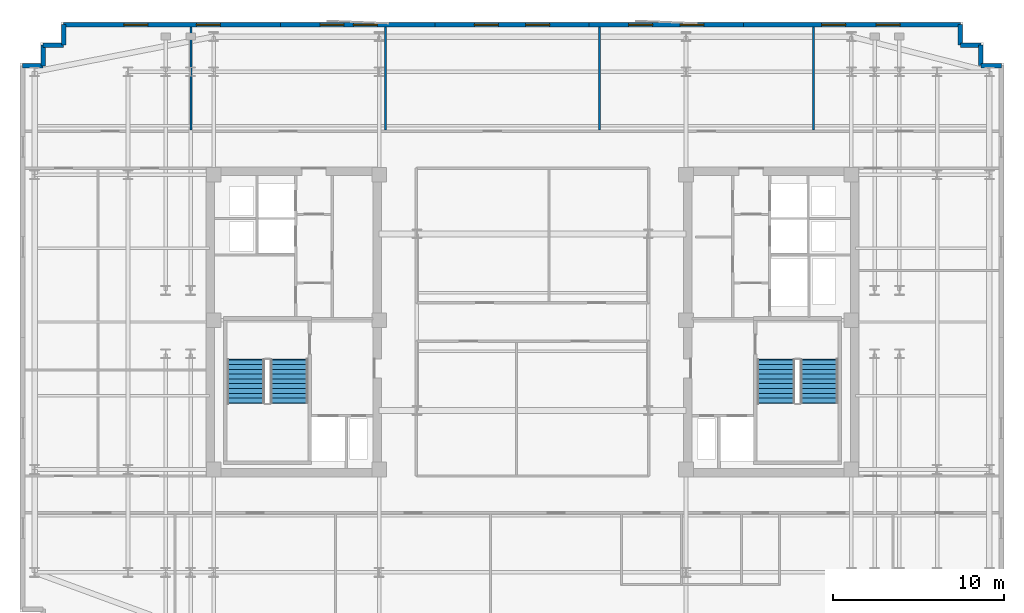
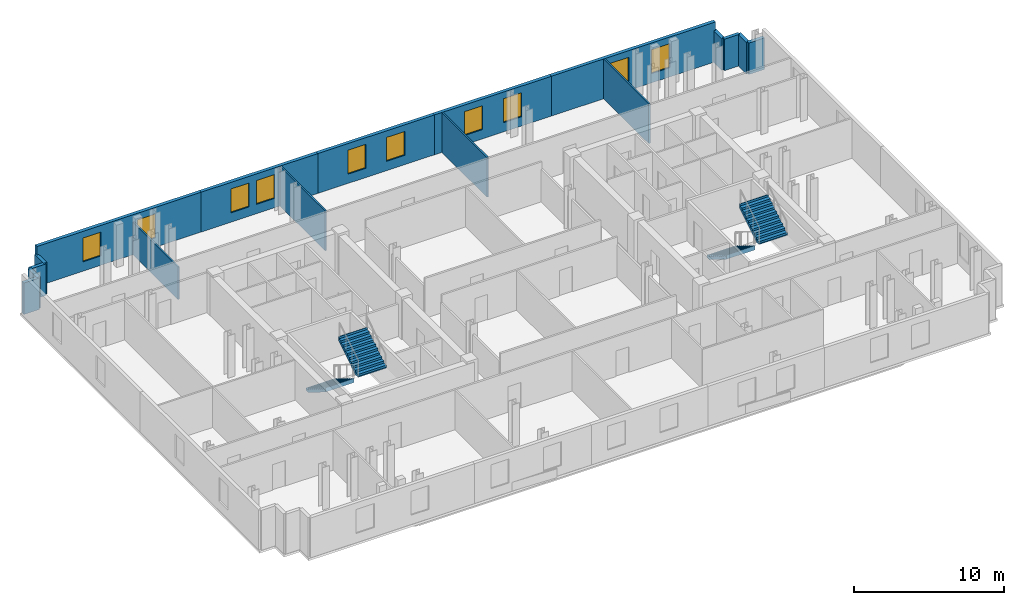
# One storey, part 7 of 9: 17 walls, 10 windows, 4 stair flights, 10 openings, 2 elements without a shape of their own.
"""IFC4 building model written with IfcOpenShell, lengths in metres."""

from ifc_helpers import new_model, si_unit, direction, frame, frame_2d, origin, place, context, subcontext, project, spatial, polyline, rectangle, outline, extrude, material, layer, layer_set, type_object, element, fill, aggregate, save


model = new_model("IFC4")

# Units and contexts
model_context = context("Model", 3, precision=1e-05, world=origin(), true_north=direction((0.0, 1.0)))
body_context = subcontext(model_context, "Body", "Model", "MODEL_VIEW")
ifc_project = project(units=[si_unit("LENGTHUNIT", "METRE"), si_unit("AREAUNIT", "SQUARE_METRE"), si_unit("VOLUMEUNIT", "CUBIC_METRE"), si_unit("PLANEANGLEUNIT", "RADIAN"), si_unit("MASSUNIT", "GRAM", prefix="KILO")], contexts=[model_context])

# Site, building, storey
site_placement = place(None, origin())
site = spatial("IfcSite", under=ifc_project, at=site_placement, CompositionType="ELEMENT")
building_placement = place(site_placement, origin())
building = spatial("IfcBuilding", under=site, at=building_placement, Name="Velakula Bourse", CompositionType="ELEMENT")
storey_placement = place(building_placement, frame((0.0, 0.0, 225.75)))
storey = spatial("IfcBuildingStorey", under=building, at=storey_placement, Name="L61", CompositionType="ELEMENT", Elevation=225.75)

# Wall, openings, windows
ifc_material_1 = material(Name="Buff kilned clay facing brick masonry", Category="masonry")
ifc_layer_1 = layer(ifc_material_1, 0.260009765625, Name="Buff kilned clay facing brick masonry", Category="masonry")
ifc_layer_set_1 = layer_set([ifc_layer_1], Name="Buff kilned clay facing brick masonry")
wall_type_1 = type_object("IfcWallType", Name="WL-EXT-BRK-260", PredefinedType="STANDARD", material=ifc_layer_set_1)
wall_1_placement = place(storey_placement, frame((-27.35009765625, 17.35009765625, 0.0), z_axis=(0.0, 0.0, 1.0), x_axis=(1.0, 0.0, 0.0)))
wall_1 = element("IfcWall", 1, at=wall_1_placement, inside=storey, type_object=wall_type_1, Name="L61 N Brick Spandrel Wall B1", PredefinedType="STANDARD", context=body_context, shape_type="SweptSolid", body=[
    extrude(rectangle(XDim=12.650146484375, YDim=0.260009765625, at=frame_2d((6.3251953125, 0.0))), origin(), (0.0, 0.0, 1.0), 3.25),
])
opening_1_placement = place(wall_1_placement, frame((3.5166015625, 0.0, 0.760009765625)))
opening_1 = element("IfcOpeningElement", 2, at=opening_1_placement, cuts=wall_1, Name="Opening W-03", PredefinedType="OPENING", context=body_context, shape_type="SweptSolid", body=[
    extrude(rectangle(XDim=1.39990234375, YDim=1.949951171875, at=frame_2d((0.699951171875, 0.97509765625))), frame((0.0, 0.139892578125, 0.0), z_axis=(0.0, -1.0, 0.0), x_axis=(1.0, 0.0, 0.0)), (0.0, 0.0, 1.0), 0.280029296875),
])
opening_2_placement = place(wall_1_placement, frame((7.7333984375, 0.0, 0.760009765625)))
opening_2 = element("IfcOpeningElement", 3, at=opening_2_placement, cuts=wall_1, Name="Opening W-03", PredefinedType="OPENING", context=body_context, shape_type="SweptSolid", body=[
    extrude(rectangle(XDim=1.39990234375, YDim=1.949951171875, at=frame_2d((0.699951171875, 0.97509765625))), frame((0.0, 0.139892578125, 0.0), z_axis=(0.0, -1.0, 0.0), x_axis=(1.0, 0.0, 0.0)), (0.0, 0.0, 1.0), 0.280029296875),
])
ifc_material_2 = material(Name="Double-glazed solar-control Low-E glass", Category="glass")
window_type = type_object("IfcWindowType", Name="WIN-TWR-1400x2100", PartitioningType="SINGLE_PANEL", PredefinedType="WINDOW", material=ifc_material_2)
window_1_placement = place(opening_1_placement, origin())
window_1 = element("IfcWindow", 4, at=window_1_placement, inside=storey, type_object=window_type, Name="L61 Deep-Set Recessed Window 1", OverallHeight=1.949951171875, OverallWidth=1.39990234375, PartitioningType="SINGLE_PANEL", PredefinedType="WINDOW", context=body_context, shape_type="SweptSolid", body=[
    extrude(rectangle(XDim=1.39990234375, YDim=1.949951171875, at=frame_2d((0.699951171875, 0.97509765625))), frame((0.0, 0.030029296875, 0.0), z_axis=(0.0, -1.0, 0.0), x_axis=(1.0, 0.0, 0.0)), (0.0, 0.0, 1.0), 0.06005859375),
])
fill(opening_1, window_1)
window_2_placement = place(opening_2_placement, origin())
window_2 = element("IfcWindow", 5, at=window_2_placement, inside=storey, type_object=window_type, Name="L61 Deep-Set Recessed Window 2", OverallHeight=1.949951171875, OverallWidth=1.39990234375, PartitioningType="SINGLE_PANEL", PredefinedType="WINDOW", context=body_context, shape_type="SweptSolid", body=[
    extrude(rectangle(XDim=1.39990234375, YDim=1.949951171875, at=frame_2d((0.699951171875, 0.97509765625))), frame((0.0, 0.030029296875, 0.0), z_axis=(0.0, -1.0, 0.0), x_axis=(1.0, 0.0, 0.0)), (0.0, 0.0, 1.0), 0.06005859375),
])
fill(opening_2, window_2)

wall_2_placement = place(storey_placement, frame((-14.699951171875, 17.35009765625, 0.0), z_axis=(0.0, 0.0, 1.0), x_axis=(1.0, 0.0, 0.0)))
wall_2 = element("IfcWall", 6, at=wall_2_placement, inside=storey, type_object=wall_type_1, Name="L61 N Brick Spandrel Wall B2", PredefinedType="STANDARD", context=body_context, shape_type="SweptSolid", body=[
    extrude(rectangle(XDim=9.0, YDim=0.260009765625, at=frame_2d((4.5, 0.0))), origin(), (0.0, 0.0, 1.0), 3.25),
])
opening_3_placement = place(wall_2_placement, frame((2.300048828125, 0.0, 0.760009765625)))
opening_3 = element("IfcOpeningElement", 7, at=opening_3_placement, cuts=wall_2, Name="Opening W-03", PredefinedType="OPENING", context=body_context, shape_type="SweptSolid", body=[
    extrude(rectangle(XDim=1.39990234375, YDim=1.949951171875, at=frame_2d((0.699951171875, 0.97509765625))), frame((0.0, 0.139892578125, 0.0), z_axis=(0.0, -1.0, 0.0), x_axis=(1.0, 0.0, 0.0)), (0.0, 0.0, 1.0), 0.280029296875),
])
opening_4_placement = place(wall_2_placement, frame((4.25, 0.0, 0.760009765625)))
opening_4 = element("IfcOpeningElement", 8, at=opening_4_placement, cuts=wall_2, Name="Opening W-03", PredefinedType="OPENING", context=body_context, shape_type="SweptSolid", body=[
    extrude(rectangle(XDim=1.39990234375, YDim=1.949951171875, at=frame_2d((0.699951171875, 0.97509765625))), frame((0.0, 0.139892578125, 0.0), z_axis=(0.0, -1.0, 0.0), x_axis=(1.0, 0.0, 0.0)), (0.0, 0.0, 1.0), 0.280029296875),
])
window_3_placement = place(opening_3_placement, origin())
window_3 = element("IfcWindow", 9, at=window_3_placement, inside=storey, type_object=window_type, Name="L61 Deep-Set Recessed Window 1", OverallHeight=1.949951171875, OverallWidth=1.39990234375, PartitioningType="SINGLE_PANEL", PredefinedType="WINDOW", context=body_context, shape_type="SweptSolid", body=[
    extrude(rectangle(XDim=1.39990234375, YDim=1.949951171875, at=frame_2d((0.699951171875, 0.97509765625))), frame((0.0, 0.030029296875, 0.0), z_axis=(0.0, -1.0, 0.0), x_axis=(1.0, 0.0, 0.0)), (0.0, 0.0, 1.0), 0.06005859375),
])
fill(opening_3, window_3)
window_4_placement = place(opening_4_placement, origin())
window_4 = element("IfcWindow", 10, at=window_4_placement, inside=storey, type_object=window_type, Name="L61 Deep-Set Recessed Window 2", OverallHeight=1.949951171875, OverallWidth=1.39990234375, PartitioningType="SINGLE_PANEL", PredefinedType="WINDOW", context=body_context, shape_type="SweptSolid", body=[
    extrude(rectangle(XDim=1.39990234375, YDim=1.949951171875, at=frame_2d((0.699951171875, 0.97509765625))), frame((0.0, 0.030029296875, 0.0), z_axis=(0.0, -1.0, 0.0), x_axis=(1.0, 0.0, 0.0)), (0.0, 0.0, 1.0), 0.06005859375),
])
fill(opening_4, window_4)

wall_3_placement = place(storey_placement, frame((-5.699951171875, 17.35009765625, 0.0), z_axis=(0.0, 0.0, 1.0), x_axis=(1.0, 0.0, 0.0)))
wall_3 = element("IfcWall", 11, at=wall_3_placement, inside=storey, type_object=wall_type_1, Name="L61 N Brick Spandrel Wall B3", PredefinedType="STANDARD", context=body_context, shape_type="SweptSolid", body=[
    extrude(rectangle(XDim=9.0, YDim=0.260009765625, at=frame_2d((4.5, 0.0))), origin(), (0.0, 0.0, 1.0), 3.25),
])
opening_5_placement = place(wall_3_placement, frame((2.300048828125, 0.0, 0.760009765625)))
opening_5 = element("IfcOpeningElement", 12, at=opening_5_placement, cuts=wall_3, Name="Opening W-03", PredefinedType="OPENING", context=body_context, shape_type="SweptSolid", body=[
    extrude(rectangle(XDim=1.39990234375, YDim=1.949951171875, at=frame_2d((0.699951171875, 0.97509765625))), frame((0.0, 0.139892578125, 0.0), z_axis=(0.0, -1.0, 0.0), x_axis=(1.0, 0.0, 0.0)), (0.0, 0.0, 1.0), 0.280029296875),
])
opening_6_placement = place(wall_3_placement, frame((5.300048828125, 0.0, 0.760009765625)))
opening_6 = element("IfcOpeningElement", 13, at=opening_6_placement, cuts=wall_3, Name="Opening W-03", PredefinedType="OPENING", context=body_context, shape_type="SweptSolid", body=[
    extrude(rectangle(XDim=1.39990234375, YDim=1.949951171875, at=frame_2d((0.699951171875, 0.97509765625))), frame((0.0, 0.139892578125, 0.0), z_axis=(0.0, -1.0, 0.0), x_axis=(1.0, 0.0, 0.0)), (0.0, 0.0, 1.0), 0.280029296875),
])
window_5_placement = place(opening_5_placement, origin())
window_5 = element("IfcWindow", 14, at=window_5_placement, inside=storey, type_object=window_type, Name="L61 Deep-Set Recessed Window 1", OverallHeight=1.949951171875, OverallWidth=1.39990234375, PartitioningType="SINGLE_PANEL", PredefinedType="WINDOW", context=body_context, shape_type="SweptSolid", body=[
    extrude(rectangle(XDim=1.39990234375, YDim=1.949951171875, at=frame_2d((0.699951171875, 0.97509765625))), frame((0.0, 0.030029296875, 0.0), z_axis=(0.0, -1.0, 0.0), x_axis=(1.0, 0.0, 0.0)), (0.0, 0.0, 1.0), 0.06005859375),
])
fill(opening_5, window_5)
window_6_placement = place(opening_6_placement, origin())
window_6 = element("IfcWindow", 15, at=window_6_placement, inside=storey, type_object=window_type, Name="L61 Deep-Set Recessed Window 2", OverallHeight=1.949951171875, OverallWidth=1.39990234375, PartitioningType="SINGLE_PANEL", PredefinedType="WINDOW", context=body_context, shape_type="SweptSolid", body=[
    extrude(rectangle(XDim=1.39990234375, YDim=1.949951171875, at=frame_2d((0.699951171875, 0.97509765625))), frame((0.0, 0.030029296875, 0.0), z_axis=(0.0, -1.0, 0.0), x_axis=(1.0, 0.0, 0.0)), (0.0, 0.0, 1.0), 0.06005859375),
])
fill(opening_6, window_6)

wall_4_placement = place(storey_placement, frame((3.300048828125, 17.35009765625, 0.0), z_axis=(0.0, 0.0, 1.0), x_axis=(1.0, 0.0, 0.0)))
wall_4 = element("IfcWall", 16, at=wall_4_placement, inside=storey, type_object=wall_type_1, Name="L61 N Brick Spandrel Wall B4", PredefinedType="STANDARD", context=body_context, shape_type="SweptSolid", body=[
    extrude(rectangle(XDim=9.0, YDim=0.260009765625, at=frame_2d((4.5, 0.0))), origin(), (0.0, 0.0, 1.0), 3.25),
])
opening_7_placement = place(wall_4_placement, frame((2.300048828125, 0.0, 0.760009765625)))
opening_7 = element("IfcOpeningElement", 17, at=opening_7_placement, cuts=wall_4, Name="Opening W-03", PredefinedType="OPENING", context=body_context, shape_type="SweptSolid", body=[
    extrude(rectangle(XDim=1.39990234375, YDim=1.949951171875, at=frame_2d((0.699951171875, 0.97509765625))), frame((0.0, 0.139892578125, 0.0), z_axis=(0.0, -1.0, 0.0), x_axis=(1.0, 0.0, 0.0)), (0.0, 0.0, 1.0), 0.280029296875),
])
opening_8_placement = place(wall_4_placement, frame((5.300048828125, 0.0, 0.760009765625)))
opening_8 = element("IfcOpeningElement", 18, at=opening_8_placement, cuts=wall_4, Name="Opening W-03", PredefinedType="OPENING", context=body_context, shape_type="SweptSolid", body=[
    extrude(rectangle(XDim=1.39990234375, YDim=1.949951171875, at=frame_2d((0.699951171875, 0.97509765625))), frame((0.0, 0.139892578125, 0.0), z_axis=(0.0, -1.0, 0.0), x_axis=(1.0, 0.0, 0.0)), (0.0, 0.0, 1.0), 0.280029296875),
])
window_7_placement = place(opening_7_placement, origin())
window_7 = element("IfcWindow", 19, at=window_7_placement, inside=storey, type_object=window_type, Name="L61 Deep-Set Recessed Window 1", OverallHeight=1.949951171875, OverallWidth=1.39990234375, PartitioningType="SINGLE_PANEL", PredefinedType="WINDOW", context=body_context, shape_type="SweptSolid", body=[
    extrude(rectangle(XDim=1.39990234375, YDim=1.949951171875, at=frame_2d((0.699951171875, 0.97509765625))), frame((0.0, 0.030029296875, 0.0), z_axis=(0.0, -1.0, 0.0), x_axis=(1.0, 0.0, 0.0)), (0.0, 0.0, 1.0), 0.06005859375),
])
fill(opening_7, window_7)
window_8_placement = place(opening_8_placement, origin())
window_8 = element("IfcWindow", 20, at=window_8_placement, inside=storey, type_object=window_type, Name="L61 Deep-Set Recessed Window 2", OverallHeight=1.949951171875, OverallWidth=1.39990234375, PartitioningType="SINGLE_PANEL", PredefinedType="WINDOW", context=body_context, shape_type="SweptSolid", body=[
    extrude(rectangle(XDim=1.39990234375, YDim=1.949951171875, at=frame_2d((0.699951171875, 0.97509765625))), frame((0.0, 0.030029296875, 0.0), z_axis=(0.0, -1.0, 0.0), x_axis=(1.0, 0.0, 0.0)), (0.0, 0.0, 1.0), 0.06005859375),
])
fill(opening_8, window_8)

wall_5_placement = place(storey_placement, frame((12.300048828125, 17.35009765625, 0.0), z_axis=(0.0, 0.0, 1.0), x_axis=(1.0, 0.0, 0.0)))
wall_5 = element("IfcWall", 21, at=wall_5_placement, inside=storey, type_object=wall_type_1, Name="L61 N Brick Spandrel Wall B5", PredefinedType="STANDARD", context=body_context, shape_type="SweptSolid", body=[
    extrude(rectangle(XDim=12.64990234375, YDim=0.260009765625, at=frame_2d((6.324951171875, 0.0))), origin(), (0.0, 0.0, 1.0), 3.25),
])
opening_9_placement = place(wall_5_placement, frame((4.566650390625, 0.0, 0.760009765625)))
opening_9 = element("IfcOpeningElement", 22, at=opening_9_placement, cuts=wall_5, Name="Opening W-03", PredefinedType="OPENING", context=body_context, shape_type="SweptSolid", body=[
    extrude(rectangle(XDim=1.39990234375, YDim=1.949951171875, at=frame_2d((0.699951171875, 0.97509765625))), frame((0.0, 0.139892578125, 0.0), z_axis=(0.0, -1.0, 0.0), x_axis=(1.0, 0.0, 0.0)), (0.0, 0.0, 1.0), 0.280029296875),
])
opening_10_placement = place(wall_5_placement, frame((7.7333984375, 0.0, 0.760009765625)))
opening_10 = element("IfcOpeningElement", 23, at=opening_10_placement, cuts=wall_5, Name="Opening W-03", PredefinedType="OPENING", context=body_context, shape_type="SweptSolid", body=[
    extrude(rectangle(XDim=1.39990234375, YDim=1.949951171875, at=frame_2d((0.699951171875, 0.97509765625))), frame((0.0, 0.139892578125, 0.0), z_axis=(0.0, -1.0, 0.0), x_axis=(1.0, 0.0, 0.0)), (0.0, 0.0, 1.0), 0.280029296875),
])
window_9_placement = place(opening_9_placement, origin())
window_9 = element("IfcWindow", 24, at=window_9_placement, inside=storey, type_object=window_type, Name="L61 Deep-Set Recessed Window 1", OverallHeight=1.949951171875, OverallWidth=1.39990234375, PartitioningType="SINGLE_PANEL", PredefinedType="WINDOW", context=body_context, shape_type="SweptSolid", body=[
    extrude(rectangle(XDim=1.39990234375, YDim=1.949951171875, at=frame_2d((0.699951171875, 0.97509765625))), frame((0.0, 0.030029296875, 0.0), z_axis=(0.0, -1.0, 0.0), x_axis=(1.0, 0.0, 0.0)), (0.0, 0.0, 1.0), 0.06005859375),
])
fill(opening_9, window_9)
window_10_placement = place(opening_10_placement, origin())
window_10 = element("IfcWindow", 25, at=window_10_placement, inside=storey, type_object=window_type, Name="L61 Deep-Set Recessed Window 2", OverallHeight=1.949951171875, OverallWidth=1.39990234375, PartitioningType="SINGLE_PANEL", PredefinedType="WINDOW", context=body_context, shape_type="SweptSolid", body=[
    extrude(rectangle(XDim=1.39990234375, YDim=1.949951171875, at=frame_2d((0.699951171875, 0.97509765625))), frame((0.0, 0.030029296875, 0.0), z_axis=(0.0, -1.0, 0.0), x_axis=(1.0, 0.0, 0.0)), (0.0, 0.0, 1.0), 0.06005859375),
])
fill(opening_10, window_10)

# Walls
wall_6_placement = place(storey_placement, frame((27.35009765625, 14.949951171875, 0.0), z_axis=(0.0, 0.0, 1.0), x_axis=(-1.0, 0.0, 0.0)))
element("IfcWall", 26, at=wall_6_placement, inside=storey, type_object=wall_type_1, Name="L61 Serrated Corner Brick Wall NE-1", PredefinedType="STANDARD", context=body_context, shape_type="SweptSolid", body=[
    extrude(rectangle(XDim=1.2001953125, YDim=0.260009765625, at=frame_2d((0.60009765625, 0.0))), origin(), (0.0, 0.0, 1.0), 2.56494140625),
])
for number, where, z_axis, x_axis, name in (
    (27, (26.14990234375, 14.949951171875, 0.0), (0.0, 0.0, 1.0), (0.0, 1.0, 0.0), "L61 Serrated Corner Brick Wall NE-2"),
    (28, (26.14990234375, 16.14990234375, 0.0), (0.0, 0.0, 1.0), (-1.0, 0.0, 0.0), "L61 Serrated Corner Brick Wall NE-3"),
):
    element("IfcWall", number, at=place(storey_placement, frame(where, z_axis=z_axis, x_axis=x_axis)), inside=storey, type_object=wall_type_1, Name=name, PredefinedType="STANDARD", context=body_context, shape_type="SweptSolid", body=[
        extrude(rectangle(XDim=1.199951171875, YDim=0.260009765625, at=frame_2d((0.60009765625, 0.0))), origin(), (0.0, 0.0, 1.0), 2.56494140625),
    ])
for number, where, z_axis, x_axis, name in (
    (29, (24.949951171875, 16.14990234375, 0.0), (0.0, 0.0, 1.0), (0.0, 1.0, 0.0), "L61 Serrated Corner Brick Wall NE-4"),
    (30, (-27.35009765625, 17.35009765625, 0.0), (0.0, 0.0, 1.0), (0.0, -1.0, 0.0), "L61 Serrated Corner Brick Wall NW-1"),
):
    element("IfcWall", number, at=place(storey_placement, frame(where, z_axis=z_axis, x_axis=x_axis)), inside=storey, type_object=wall_type_1, Name=name, PredefinedType="STANDARD", context=body_context, shape_type="SweptSolid", body=[
        extrude(rectangle(XDim=1.2001953125, YDim=0.260009765625, at=frame_2d((0.60009765625, 0.0))), origin(), (0.0, 0.0, 1.0), 2.56494140625),
    ])
for number, where, z_axis, x_axis, name in (
    (31, (-27.35009765625, 16.14990234375, 0.0), (0.0, 0.0, 1.0), (-1.0, 0.0, 0.0), "L61 Serrated Corner Brick Wall NW-2"),
    (32, (-28.550048828125, 16.14990234375, 0.0), (0.0, 0.0, 1.0), (0.0, -1.0, 0.0), "L61 Serrated Corner Brick Wall NW-3"),
    (33, (-28.550048828125, 14.949951171875, 0.0), (0.0, 0.0, 1.0), (-1.0, 0.0, 0.0), "L61 Serrated Corner Brick Wall NW-4"),
):
    element("IfcWall", number, at=place(storey_placement, frame(where, z_axis=z_axis, x_axis=x_axis)), inside=storey, type_object=wall_type_1, Name=name, PredefinedType="STANDARD", context=body_context, shape_type="SweptSolid", body=[
        extrude(rectangle(XDim=1.199951171875, YDim=0.260009765625, at=frame_2d((0.60009765625, 0.0))), origin(), (0.0, 0.0, 1.0), 2.56494140625),
    ])
ifc_material_3 = material(Name="Fire-rated double-layer gypsum drywall partition", Category="gypsum")
ifc_layer_2 = layer(ifc_material_3, 0.1201171875, Name="Fire-rated double-layer gypsum drywall partition", Category="gypsum")
ifc_layer_set_2 = layer_set([ifc_layer_2], Name="Fire-rated double-layer gypsum drywall partition")
wall_type_2 = type_object("IfcWallType", Name="WL-PART-120", PredefinedType="STANDARD", material=ifc_layer_set_2)
wall_7_placement = place(storey_placement, frame((-19.91796875, 11.18994140625, 0.0), z_axis=(0.0, 0.0, 1.0), x_axis=(0.0, 1.0, 0.0)))
element("IfcWall", 34, at=wall_7_placement, inside=storey, type_object=wall_type_2, Name="L61 Interior Partition WL-INT-L61-N-D1", PredefinedType="STANDARD", context=body_context, shape_type="SweptSolid", body=[
    extrude(rectangle(XDim=6.030029296875, YDim=0.1201171875, at=frame_2d((3.01513671875, 0.0))), origin(), (0.0, 0.0, 1.0), 2.64501953125),
])
for number, where, z_axis, x_axis, name in (
    (35, (-8.573974609375, 11.18994140625, 0.0), (0.0, 0.0, 1.0), (0.0, 1.0, 0.0), "L61 Interior Partition WL-INT-L61-N-D2"),
    (36, (3.905029296875, 11.18994140625, 0.0), (0.0, 0.0, 1.0), (0.0, 1.0, 0.0), "L61 Interior Partition WL-INT-L61-N-D3"),
    (37, (16.383056640625, 11.18994140625, 0.0), (0.0, 0.0, 1.0), (0.0, 1.0, 0.0), "L61 Interior Partition WL-INT-L61-N-D4"),
):
    element("IfcWall", number, at=place(storey_placement, frame(where, z_axis=z_axis, x_axis=x_axis)), inside=storey, type_object=wall_type_2, Name=name, PredefinedType="STANDARD", context=body_context, shape_type="SweptSolid", body=[
        extrude(rectangle(XDim=6.030029296875, YDim=0.1201171875, at=frame_2d((3.01513671875, 0.0))), origin(), (0.0, 0.0, 1.0), 3.25),
    ])

# Stair, stair flights
ifc_material_4 = material(Name="Concrete M45 (fck 45 MPa)", Category="concrete")
stair_type = type_object("IfcStairType", Name="STR-DOG-390", PredefinedType="HALF_TURN_STAIR", material=ifc_material_4)
stair_1_placement = place(storey_placement, origin())
stair_1 = element("IfcStair", 38, at=stair_1_placement, inside=storey, type_object=stair_type, Name="L61 West Core Exit Stair ST-W1", PredefinedType="HALF_TURN_STAIR")
ifc_layer_3 = layer(ifc_material_4, 0.195068359375, Name="Concrete M45 (fck 45 MPa)", Category="concrete")
ifc_layer_set_3 = layer_set([ifc_layer_3], Name="Concrete M45 (fck 45 MPa)")
stair_flight_type = type_object("IfcStairFlightType", Name="FLT-DOG-390", PredefinedType="STRAIGHT", material=ifc_layer_set_3)
stair_flight_1_placement = place(storey_placement, frame((-16.720947265625, -2.199951171875, 0.0), z_axis=(0.0, 0.0, 1.0), x_axis=(0.0, -1.0, 0.0)))
stair_flight_1 = element("IfcStairFlight", 39, at=stair_flight_1_placement, type_object=stair_flight_type, Name="ST-W1 flight 1", NumberOfRisers=10, NumberOfTreads=9, PredefinedType="STRAIGHT", RiserHeight=0.1725, TreadLength=0.28, context=body_context, shape_type="SweptSolid", body=[
    extrude(outline(polyline([(-0.044921875, -0.0400390625), (-0.044921875, -0.036865234375), (-0.044921875, -0.033935546875), (-0.044921875, -0.03076171875), (-0.044921875, -0.027587890625), (-0.044921875, -0.024658203125), (-0.044921875, -0.021484375), (-0.044921875, -0.0185546875), (-0.044921875, -0.015380859375), (-0.044921875, -0.01220703125), (-0.044921875, -0.00927734375), (-0.044921875, -0.006103515625), (-0.044921875, -0.003173828125), (-0.044921875, 0.0), (0.0, 0.0), (0.0, 0.172607421875), (0.280029296875, 0.172607421875), (0.280029296875, 0.344970703125), (0.56005859375, 0.344970703125), (0.56005859375, 0.517578125), (0.840087890625, 0.517578125), (0.840087890625, 0.68994140625), (1.1201171875, 0.68994140625), (1.1201171875, 0.862548828125), (1.39990234375, 0.862548828125), (1.39990234375, 1.034912109375), (1.679931640625, 1.034912109375), (1.679931640625, 1.20751953125), (1.9599609375, 1.20751953125), (1.9599609375, 1.3798828125), (2.239990234375, 1.3798828125), (2.239990234375, 1.552490234375), (2.52001953125, 1.552490234375), (2.52001953125, 1.72509765625), (2.56494140625, 1.72509765625), (2.56494140625, 1.7001953125), (2.56494140625, 1.67529296875), (2.56494140625, 1.650390625), (2.56494140625, 1.62548828125), (2.56494140625, 1.6005859375), (2.56494140625, 1.57568359375), (2.56494140625, 1.55078125), (2.56494140625, 1.52587890625), (2.56494140625, 1.5009765625), (2.56494140625, 1.47607421875), (2.56494140625, 1.451171875), (2.56494140625, 1.42626953125), (2.56494140625, 1.4013671875), (2.56494140625, 1.37646484375), (0.285888671875, -0.0400390625), (-0.044921875, -0.0400390625)])), frame((0.0, 1.09912109375, 0.0), z_axis=(0.0, -1.0, 0.0), x_axis=(1.0, 0.0, 0.0)), (0.0, 0.0, 1.0), 2.197998046875),
])
stair_flight_2_placement = place(storey_placement, frame((-14.198974609375, -4.719970703125, 1.72509765625), z_axis=(0.0, 0.0, 1.0), x_axis=(0.0, 1.0, 0.0)))
stair_flight_2 = element("IfcStairFlight", 40, at=stair_flight_2_placement, type_object=stair_flight_type, Name="ST-W1 flight 2", NumberOfRisers=10, NumberOfTreads=9, PredefinedType="STRAIGHT", RiserHeight=0.1725, TreadLength=0.28, context=body_context, shape_type="SweptSolid", body=[
    extrude(outline(polyline([(-0.044921875, -0.0400390625), (-0.044921875, -0.036865234375), (-0.044921875, -0.033935546875), (-0.044921875, -0.03076171875), (-0.044921875, -0.027587890625), (-0.044921875, -0.024658203125), (-0.044921875, -0.021484375), (-0.044921875, -0.0185546875), (-0.044921875, -0.015380859375), (-0.044921875, -0.01220703125), (-0.044921875, -0.00927734375), (-0.044921875, -0.006103515625), (-0.044921875, -0.003173828125), (-0.044921875, 0.0), (0.0, 0.0), (0.0, 0.172607421875), (0.280029296875, 0.172607421875), (0.280029296875, 0.344970703125), (0.56005859375, 0.344970703125), (0.56005859375, 0.517578125), (0.840087890625, 0.517578125), (0.840087890625, 0.68994140625), (1.1201171875, 0.68994140625), (1.1201171875, 0.862548828125), (1.39990234375, 0.862548828125), (1.39990234375, 1.034912109375), (1.679931640625, 1.034912109375), (1.679931640625, 1.20751953125), (1.9599609375, 1.20751953125), (1.9599609375, 1.3798828125), (2.239990234375, 1.3798828125), (2.239990234375, 1.552490234375), (2.52001953125, 1.552490234375), (2.52001953125, 1.72509765625), (2.56494140625, 1.72509765625), (2.56494140625, 1.7001953125), (2.56494140625, 1.67529296875), (2.56494140625, 1.650390625), (2.56494140625, 1.62548828125), (2.56494140625, 1.6005859375), (2.56494140625, 1.57568359375), (2.56494140625, 1.55078125), (2.56494140625, 1.52587890625), (2.56494140625, 1.5009765625), (2.56494140625, 1.47607421875), (2.56494140625, 1.451171875), (2.56494140625, 1.42626953125), (2.56494140625, 1.4013671875), (2.56494140625, 1.37646484375), (0.285888671875, -0.0400390625), (-0.044921875, -0.0400390625)])), frame((0.0, 1.09912109375, 0.0), z_axis=(0.0, -1.0, 0.0), x_axis=(1.0, 0.0, 0.0)), (0.0, 0.0, 1.0), 2.197998046875),
])
aggregate(stair_1, [stair_flight_1, stair_flight_2])

stair_2_placement = place(storey_placement, origin())
stair_2 = element("IfcStair", 41, at=stair_2_placement, inside=storey, type_object=stair_type, Name="L61 East Core Exit Stair ST-E1", PredefinedType="HALF_TURN_STAIR")
stair_flight_3_placement = place(storey_placement, frame((14.198974609375, -2.199951171875, 0.0), z_axis=(0.0, 0.0, 1.0), x_axis=(0.0, -1.0, 0.0)))
stair_flight_3 = element("IfcStairFlight", 42, at=stair_flight_3_placement, type_object=stair_flight_type, Name="ST-E1 flight 1", NumberOfRisers=10, NumberOfTreads=9, PredefinedType="STRAIGHT", RiserHeight=0.1725, TreadLength=0.28, context=body_context, shape_type="SweptSolid", body=[
    extrude(outline(polyline([(-0.044921875, -0.0400390625), (-0.044921875, -0.036865234375), (-0.044921875, -0.033935546875), (-0.044921875, -0.03076171875), (-0.044921875, -0.027587890625), (-0.044921875, -0.024658203125), (-0.044921875, -0.021484375), (-0.044921875, -0.0185546875), (-0.044921875, -0.015380859375), (-0.044921875, -0.01220703125), (-0.044921875, -0.00927734375), (-0.044921875, -0.006103515625), (-0.044921875, -0.003173828125), (-0.044921875, 0.0), (0.0, 0.0), (0.0, 0.172607421875), (0.280029296875, 0.172607421875), (0.280029296875, 0.344970703125), (0.56005859375, 0.344970703125), (0.56005859375, 0.517578125), (0.840087890625, 0.517578125), (0.840087890625, 0.68994140625), (1.1201171875, 0.68994140625), (1.1201171875, 0.862548828125), (1.39990234375, 0.862548828125), (1.39990234375, 1.034912109375), (1.679931640625, 1.034912109375), (1.679931640625, 1.20751953125), (1.9599609375, 1.20751953125), (1.9599609375, 1.3798828125), (2.239990234375, 1.3798828125), (2.239990234375, 1.552490234375), (2.52001953125, 1.552490234375), (2.52001953125, 1.72509765625), (2.56494140625, 1.72509765625), (2.56494140625, 1.7001953125), (2.56494140625, 1.67529296875), (2.56494140625, 1.650390625), (2.56494140625, 1.62548828125), (2.56494140625, 1.6005859375), (2.56494140625, 1.57568359375), (2.56494140625, 1.55078125), (2.56494140625, 1.52587890625), (2.56494140625, 1.5009765625), (2.56494140625, 1.47607421875), (2.56494140625, 1.451171875), (2.56494140625, 1.42626953125), (2.56494140625, 1.4013671875), (2.56494140625, 1.37646484375), (0.285888671875, -0.0400390625), (-0.044921875, -0.0400390625)])), frame((0.0, 1.09912109375, 0.0), z_axis=(0.0, -1.0, 0.0), x_axis=(1.0, 0.0, 0.0)), (0.0, 0.0, 1.0), 2.197998046875),
])
stair_flight_4_placement = place(storey_placement, frame((16.720947265625, -4.719970703125, 1.72509765625), z_axis=(0.0, 0.0, 1.0), x_axis=(0.0, 1.0, 0.0)))
stair_flight_4 = element("IfcStairFlight", 43, at=stair_flight_4_placement, type_object=stair_flight_type, Name="ST-E1 flight 2", NumberOfRisers=10, NumberOfTreads=9, PredefinedType="STRAIGHT", RiserHeight=0.1725, TreadLength=0.28, context=body_context, shape_type="SweptSolid", body=[
    extrude(outline(polyline([(-0.044921875, -0.0400390625), (-0.044921875, -0.036865234375), (-0.044921875, -0.033935546875), (-0.044921875, -0.03076171875), (-0.044921875, -0.027587890625), (-0.044921875, -0.024658203125), (-0.044921875, -0.021484375), (-0.044921875, -0.0185546875), (-0.044921875, -0.015380859375), (-0.044921875, -0.01220703125), (-0.044921875, -0.00927734375), (-0.044921875, -0.006103515625), (-0.044921875, -0.003173828125), (-0.044921875, 0.0), (0.0, 0.0), (0.0, 0.172607421875), (0.280029296875, 0.172607421875), (0.280029296875, 0.344970703125), (0.56005859375, 0.344970703125), (0.56005859375, 0.517578125), (0.840087890625, 0.517578125), (0.840087890625, 0.68994140625), (1.1201171875, 0.68994140625), (1.1201171875, 0.862548828125), (1.39990234375, 0.862548828125), (1.39990234375, 1.034912109375), (1.679931640625, 1.034912109375), (1.679931640625, 1.20751953125), (1.9599609375, 1.20751953125), (1.9599609375, 1.3798828125), (2.239990234375, 1.3798828125), (2.239990234375, 1.552490234375), (2.52001953125, 1.552490234375), (2.52001953125, 1.72509765625), (2.56494140625, 1.72509765625), (2.56494140625, 1.7001953125), (2.56494140625, 1.67529296875), (2.56494140625, 1.650390625), (2.56494140625, 1.62548828125), (2.56494140625, 1.6005859375), (2.56494140625, 1.57568359375), (2.56494140625, 1.55078125), (2.56494140625, 1.52587890625), (2.56494140625, 1.5009765625), (2.56494140625, 1.47607421875), (2.56494140625, 1.451171875), (2.56494140625, 1.42626953125), (2.56494140625, 1.4013671875), (2.56494140625, 1.37646484375), (0.285888671875, -0.0400390625), (-0.044921875, -0.0400390625)])), frame((0.0, 1.09912109375, 0.0), z_axis=(0.0, -1.0, 0.0), x_axis=(1.0, 0.0, 0.0)), (0.0, 0.0, 1.0), 2.197998046875),
])
aggregate(stair_2, [stair_flight_3, stair_flight_4])

save(model, "model.ifc")
